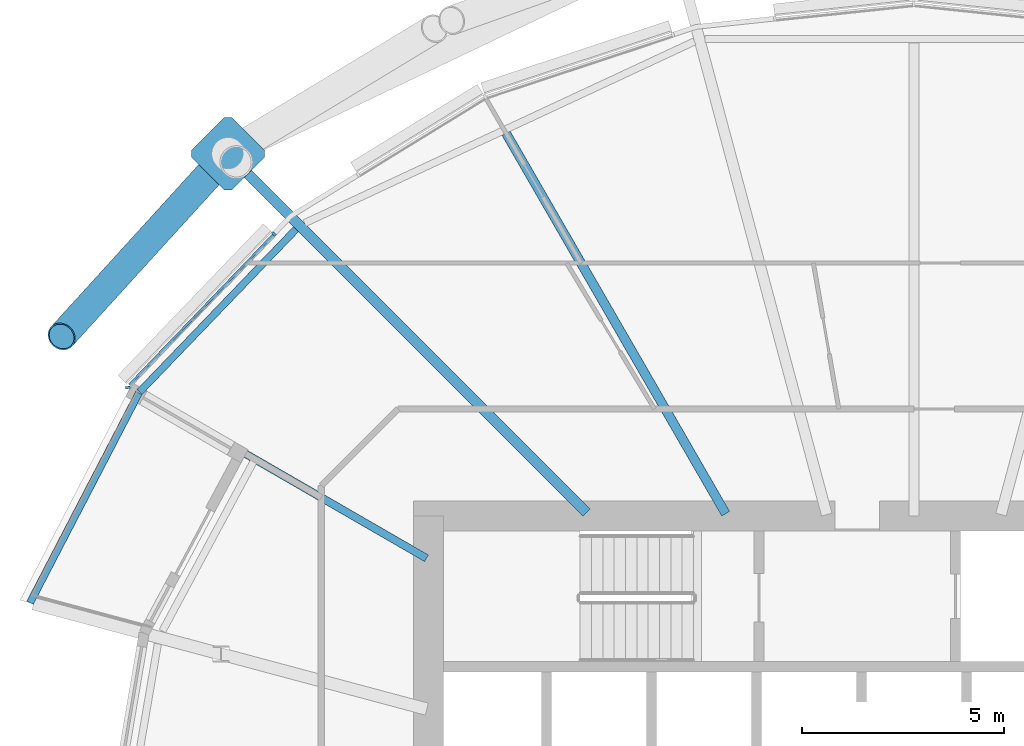
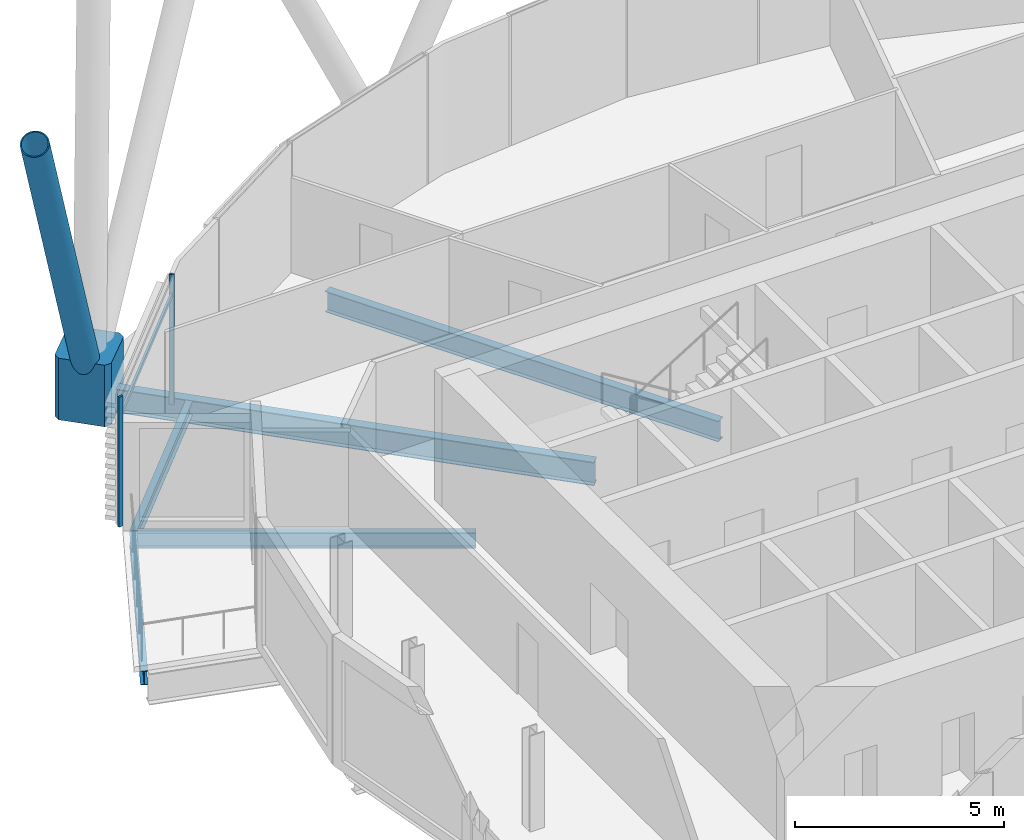
# One storey, part 10 of 39: 5 beams, 5 members, 1 element without a shape of its own.
"""IFC4 building model written with IfcOpenShell, lengths in metres."""

from ifc_helpers import new_model, si_unit, direction, frame, origin, origin_2d, place, context, subcontext, project, spatial, polyline, rectangle, hollow_circle, i_section, outline, extrude, material, material_profile, profile_set, type_object, element, aggregate, save


model = new_model("IFC4")

# Units and contexts
model_context = context("Model", 3, precision=1e-05, world=origin(), true_north=direction((0.0, 1.0)))
body_context = subcontext(model_context, "Body", "Model", "MODEL_VIEW")
ifc_project = project(units=[si_unit("LENGTHUNIT", "METRE"), si_unit("AREAUNIT", "SQUARE_METRE"), si_unit("VOLUMEUNIT", "CUBIC_METRE"), si_unit("PLANEANGLEUNIT", "RADIAN"), si_unit("MASSUNIT", "GRAM", prefix="KILO")], contexts=[model_context])

# Site, building, storey
site_placement = place(None, origin())
site = spatial("IfcSite", under=ifc_project, at=site_placement, CompositionType="ELEMENT")
building_placement = place(site_placement, origin())
building = spatial("IfcBuilding", under=site, at=building_placement, Name="Rimbun Link Towers", CompositionType="ELEMENT")
storey_placement = place(building_placement, frame((0.0, 0.0, 115.800048828125)))
storey = spatial("IfcBuildingStorey", under=building, at=storey_placement, Name="L28", CompositionType="ELEMENT", Elevation=115.800048828125)

# Curtain wall, members
ifc_material_1 = material(Name="Aluminium 6063-T6 and low-iron glass", Category="aluminium")
curtain_wall_type = type_object("IfcCurtainWallType", Name="CW1-Z2 unitised vision wall (zone 2)", PredefinedType="NOTDEFINED", material=ifc_material_1)
curtain_wall_placement = place(storey_placement, origin())
curtain_wall = element("IfcCurtainWall", 1, at=curtain_wall_placement, inside=storey, type_object=curtain_wall_type, Name="CW1 L28 T1", PredefinedType="NOTDEFINED")
ifc_material_2 = material(Name="Aluminium 6063-T6", Category="aluminium")
ifc_material_profile_1 = material_profile(ifc_material_2, rectangle(XDim=0.1201171875, YDim=0.06005859375, at=origin_2d()), Name="MULLION 60X120")
ifc_profile_set_1 = profile_set([ifc_material_profile_1], Name="Aluminium 6063-T6")
member_type_1 = type_object("IfcMemberType", Name="CW1 mullion 60X120", PredefinedType="MULLION", material=ifc_profile_set_1)
member_1_placement = place(storey_placement, frame((-51.182861328125, 11.1767578125, 0.0), z_axis=(0.0, 0.0, 1.0), x_axis=(-0.990015901246, -0.14095572099, 0.0)))
member_1 = element("IfcMember", 2, at=member_1_placement, type_object=member_type_1, Name="CW1 mullion", PredefinedType="MULLION", context=body_context, shape_type="SweptSolid", body=[
    extrude(rectangle(XDim=0.1201171875, YDim=0.06005859375, at=origin_2d()), origin(), (0.0, 0.0, 1.0), 3.800048828125),
])
member_2_placement = place(storey_placement, frame((-47.57421875, 14.97412109375, 0.0), z_axis=(0.0, 0.0, 1.0), x_axis=(-0.721834717261, 0.692065488922, 0.0)))
member_2 = element("IfcMember", 3, at=member_2_placement, type_object=member_type_1, Name="CW1 mullion", PredefinedType="MULLION", context=body_context, shape_type="SweptSolid", body=[
    extrude(rectangle(XDim=0.1201171875, YDim=0.06005859375, at=origin_2d()), origin(), (0.0, 0.0, 1.0), 3.800048828125),
])
ifc_material_3 = material(Name="Aluminium 6063-T6", Category="aluminium")
ifc_material_profile_2 = material_profile(ifc_material_3, rectangle(XDim=0.06005859375, YDim=0.1201171875, at=origin_2d()), Name="TRANSOM 60X120")
ifc_profile_set_2 = profile_set([ifc_material_profile_2], Name="Aluminium 6063-T6")
member_type_2 = type_object("IfcMemberType", Name="CW1 transom 60X120", PredefinedType="USERDEFINED", material=ifc_profile_set_2)
member_3_placement = place(storey_placement, frame((-51.14453125, 11.2470703125, 3.199951171875), z_axis=(0.692057260801, 0.721842605955, 0.0), x_axis=(-0.721842605955, 0.692057260801, 0.0)))
member_3 = element("IfcMember", 4, at=member_3_placement, type_object=member_type_2, Name="CW1 transom", ObjectType="TRANSOM", PredefinedType="USERDEFINED", context=body_context, shape_type="SweptSolid", body=[
    extrude(rectangle(XDim=0.06005859375, YDim=0.1201171875, at=origin_2d()), origin(), (0.0, 0.0, 1.0), 5.131103515625),
])
aggregate(curtain_wall, [member_1, member_2, member_3])

# Members
ifc_material_4 = material(Name="Steel S460NH", Category="steel")
ifc_material_profile_3 = material_profile(ifc_material_4, hollow_circle(Radius=0.355712890625, WallThickness=0.031982421875, at=origin_2d()), Name="Diagrid diagonal CHS 711x32")
ifc_profile_set_3 = profile_set([ifc_material_profile_3], Name="Steel S460NH")
member_type_3 = type_object("IfcMemberType", Name="Diagrid diagonal CHS 711x32", PredefinedType="BRACE", material=ifc_profile_set_3)
member_4_placement = place(storey_placement, frame((-48.870361328125, 16.776611328125, 0.436767578125), z_axis=(-0.327702776931, -0.359956428917, 0.873522901401), x_axis=(0.739459655937, -0.673200874362, 0.0)))
element("IfcMember", 5, at=member_4_placement, inside=storey, type_object=member_type_3, Name="Diagrid diagonal T1 L28-L31 09b", PredefinedType="BRACE", context=body_context, shape_type="SweptSolid", body=[
    extrude(hollow_circle(Radius=0.355712890625, WallThickness=0.031982421875, at=origin_2d()), origin(), (0.0, 0.0, 1.0), 12.050537109375),
])
ifc_material_5 = material(Name="Cast steel G20Mn5+QT, Rp0.2 300 MPa", Category="steel")
ifc_material_profile_4 = material_profile(ifc_material_5, outline(polyline([(0.699951171875, -0.570068359375), (0.699951171875, 0.570068359375), (0.570068359375, 0.699951171875), (-0.570068359375, 0.699951171875), (-0.699951171875, 0.570068359375), (-0.699951171875, -0.570068359375), (-0.570068359375, -0.699951171875), (0.570068359375, -0.699951171875), (0.699951171875, -0.570068359375)])), Name="NODE 1400x1400")
ifc_profile_set_4 = profile_set([ifc_material_profile_4], Name="Cast steel G20Mn5+QT, Rp0.2 300 MPa")
member_type_4 = type_object("IfcMemberType", Name="Diagrid node cast 1400", PredefinedType="USERDEFINED", material=ifc_profile_set_4)
member_5_placement = place(storey_placement, frame((-48.70654296875, 16.95654296875, -0.900146484375), z_axis=(0.0, 0.0, 1.0), x_axis=(-0.707106781187, 0.707106781187, 0.0)))
element("IfcMember", 6, at=member_5_placement, inside=storey, type_object=member_type_4, Name="Diagrid node L28 09", ObjectType="Diagrid node", PredefinedType="USERDEFINED", context=body_context, shape_type="SweptSolid", body=[
    extrude(outline(polyline([(0.699951171875, -0.570068359375), (0.699951171875, 0.570068359375), (0.570068359375, 0.699951171875), (-0.570068359375, 0.699951171875), (-0.699951171875, 0.570068359375), (-0.699951171875, -0.570068359375), (-0.570068359375, -0.699951171875), (0.570068359375, -0.699951171875), (0.699951171875, -0.570068359375)])), origin(), (0.0, 0.0, 1.0), 1.800048828125),
])

# Beams
ifc_material_6 = material(Name="Steel S355J2", Category="steel")
ifc_material_profile_5 = material_profile(ifc_material_6, i_section(OverallWidth=0.177978515625, OverallDepth=0.406494140625, WebThickness=0.0078125, FlangeThickness=0.0126953125, at=origin_2d()), Name="UB 406x178x60")
ifc_profile_set_5 = profile_set([ifc_material_profile_5], Name="Steel S355J2")
beam_type_1 = type_object("IfcBeamType", Name="UB 406x178x60", PredefinedType="BEAM", material=ifc_profile_set_5)
beam_1_placement = place(storey_placement, frame((-47.023681640625, 15.09033203125, -0.36328125), z_axis=(-0.692969700155, -0.720966708431, 0.0), x_axis=(0.720966708431, -0.692969700155, 0.0)))
element("IfcBeam", 7, at=beam_1_placement, inside=storey, type_object=beam_type_1, Name="Edge beam T1 L28 09", PredefinedType="BEAM", context=body_context, shape_type="SweptSolid", body=[
    extrude(i_section(OverallWidth=0.177978515625, OverallDepth=0.406494140625, WebThickness=0.0078125, FlangeThickness=0.0126953125, at=origin_2d()), origin(), (0.0, 0.0, 1.0), 5.5810546875),
])
beam_2_placement = place(storey_placement, frame((-50.906982421875, 11.044189453125, -0.36328125), z_axis=(-0.460628004515, -0.887593286059, 0.0), x_axis=(0.887593286059, -0.460628004515, 0.0)))
element("IfcBeam", 8, at=beam_2_placement, inside=storey, type_object=beam_type_1, Name="Edge beam T1 L28 10 terrace", PredefinedType="BEAM", context=body_context, shape_type="SweptSolid", body=[
    extrude(i_section(OverallWidth=0.177978515625, OverallDepth=0.406494140625, WebThickness=0.0078125, FlangeThickness=0.0126953125, at=origin_2d()), origin(), (0.0, 0.0, 1.0), 5.845458984375),
])
ifc_material_7 = material(Name="Steel S355J2", Category="steel")
ifc_material_profile_6 = material_profile(ifc_material_7, i_section(OverallWidth=0.18994140625, OverallDepth=0.453369140625, WebThickness=0.008544921875, FlangeThickness=0.0126953125, at=origin_2d()), Name="UB 457x191x67")
ifc_profile_set_6 = profile_set([ifc_material_profile_6], Name="Steel S355J2")
beam_type_2 = type_object("IfcBeamType", Name="UB 457x191x67", PredefinedType="BEAM", material=ifc_profile_set_6)
beam_3_placement = place(storey_placement, frame((-43.79833984375, 6.9560546875, -0.38671875), z_axis=(-0.866017156151, 0.500014285048, 0.0), x_axis=(-0.500014285048, -0.866017156151, 0.0)))
element("IfcBeam", 9, at=beam_3_placement, inside=storey, type_object=beam_type_2, Name="Radial beam T1 L28 10", PredefinedType="BEAM", context=body_context, shape_type="SweptSolid", body=[
    extrude(i_section(OverallWidth=0.18994140625, OverallDepth=0.453369140625, WebThickness=0.008544921875, FlangeThickness=0.0126953125, at=origin_2d()), origin(), (0.0, 0.0, 1.0), 8.110595703125),
])
ifc_material_8 = material(Name="Steel S355J2", Category="steel")
ifc_material_profile_7 = material_profile(ifc_material_8, i_section(OverallWidth=0.2275390625, OverallDepth=0.6025390625, WebThickness=0.010498046875, FlangeThickness=0.014892578125, at=origin_2d()), Name="UB 610x229x101")
ifc_profile_set_7 = profile_set([ifc_material_profile_7], Name="Steel S355J2")
beam_type_3 = type_object("IfcBeamType", Name="UB 610x229x101", PredefinedType="BEAM", material=ifc_profile_set_7)
beam_4_placement = place(storey_placement, frame((-36.402099609375, 8.057861328125, -0.46142578125), z_axis=(-0.49999814997, 0.866026471897, 0.0), x_axis=(-0.866026471897, -0.49999814997, 0.0)))
element("IfcBeam", 10, at=beam_4_placement, inside=storey, type_object=beam_type_3, Name="Radial beam T1 L28 08", PredefinedType="BEAM", context=body_context, shape_type="SweptSolid", body=[
    extrude(i_section(OverallWidth=0.2275390625, OverallDepth=0.6025390625, WebThickness=0.010498046875, FlangeThickness=0.014892578125, at=origin_2d()), origin(), (0.0, 0.0, 1.0), 10.859375),
])
ifc_material_9 = material(Name="Steel S355J2", Category="steel")
ifc_material_profile_8 = material_profile(ifc_material_9, i_section(OverallWidth=0.253662109375, OverallDepth=0.68359375, WebThickness=0.012451171875, FlangeThickness=0.01904296875, at=origin_2d()), Name="UB 686x254x140")
ifc_profile_set_8 = profile_set([ifc_material_profile_8], Name="Steel S355J2")
beam_type_4 = type_object("IfcBeamType", Name="UB 686x254x140", PredefinedType="BEAM", material=ifc_profile_set_8)
beam_5_placement = place(storey_placement, frame((-39.84033203125, 8.09033203125, -0.501953125), z_axis=(-0.707106781187, 0.707106781187, 0.0), x_axis=(-0.707106781187, -0.707106781187, 0.0)))
element("IfcBeam", 11, at=beam_5_placement, inside=storey, type_object=beam_type_4, Name="Radial beam T1 L28 09", PredefinedType="BEAM", context=body_context, shape_type="SweptSolid", body=[
    extrude(i_section(OverallWidth=0.253662109375, OverallDepth=0.68359375, WebThickness=0.012451171875, FlangeThickness=0.01904296875, at=origin_2d()), origin(), (0.0, 0.0, 1.0), 12.038818359375),
])

save(model, "model.ifc")
